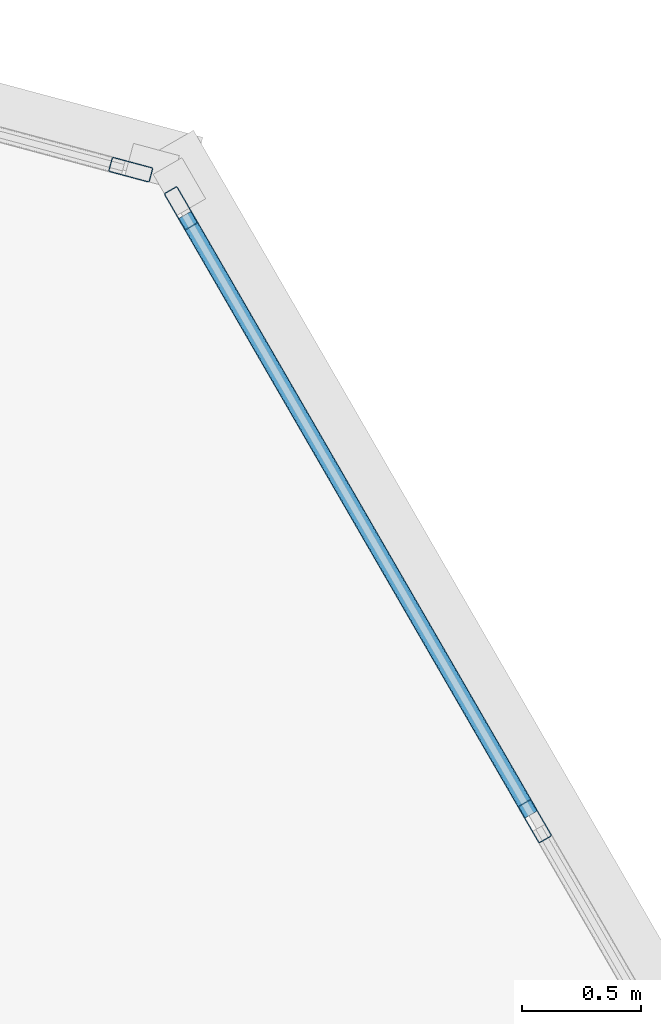
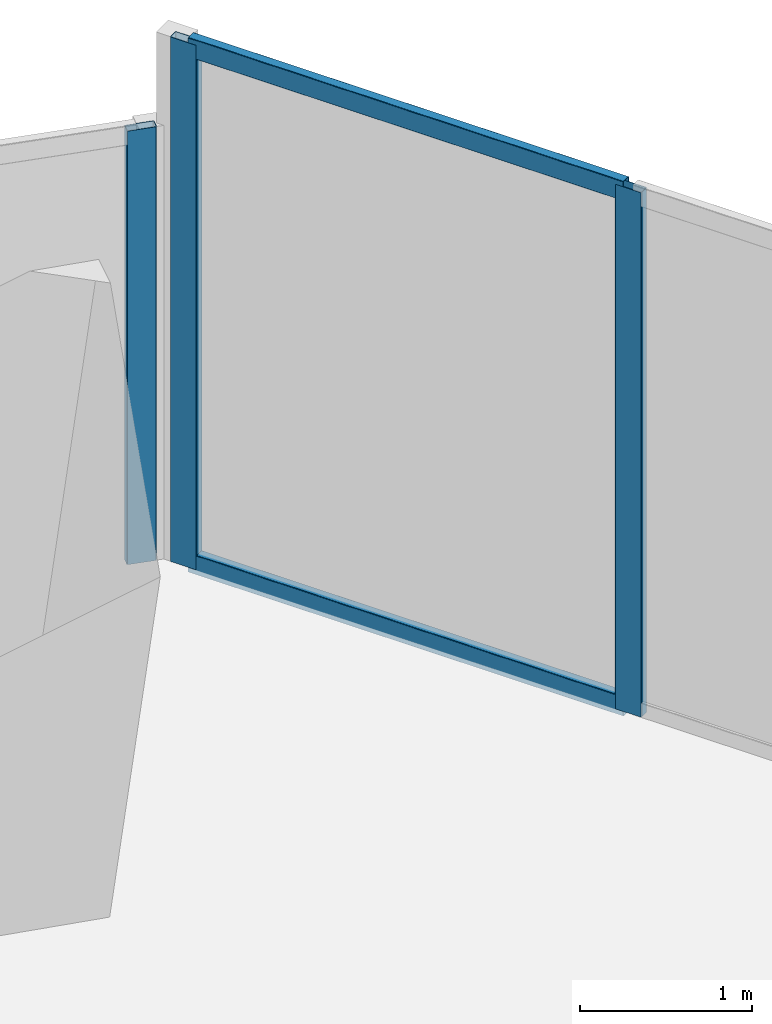
# One storey, part 13 of 27: 5 members, 2 elements without a shape of their own.
"""IFC4 building model written with IfcOpenShell, lengths in metres."""

from ifc_helpers import new_model, si_unit, direction, frame, origin, origin_2d, place, context, subcontext, project, spatial, hollow_rectangle, extrude, source, transform, mapped, material, material_profile, profile_set, type_object, element, aggregate, save


model = new_model("IFC4")

# Units and contexts
model_context = context("Model", 3, precision=1e-05, world=origin(), true_north=direction((0.0, 1.0)))
body_context = subcontext(model_context, "Body", "Model", "MODEL_VIEW")
ifc_project = project(units=[si_unit("LENGTHUNIT", "METRE"), si_unit("AREAUNIT", "SQUARE_METRE"), si_unit("VOLUMEUNIT", "CUBIC_METRE"), si_unit("PLANEANGLEUNIT", "RADIAN"), si_unit("MASSUNIT", "GRAM", prefix="KILO")], contexts=[model_context])

# Site, building, storey
site_placement = place(None, origin())
site = spatial("IfcSite", under=ifc_project, at=site_placement, CompositionType="ELEMENT")
building_placement = place(site_placement, origin())
building = spatial("IfcBuilding", under=site, at=building_placement, Name="Torre Montelarca", CompositionType="ELEMENT")
storey_placement = place(building_placement, frame((0.0, 0.0, 108.39990234375)))
storey = spatial("IfcBuildingStorey", under=building, at=storey_placement, Name="L24", CompositionType="ELEMENT", Elevation=108.39990234375)

# Curtain wall, members
ifc_material_1 = material(Name="Insulated low-E laminated glass", Category="glass")
curtain_wall_type = type_object("IfcCurtainWallType", Name="CW-SYS-Z1", PredefinedType="USERDEFINED", material=ifc_material_1)
curtain_wall_1_placement = place(storey_placement, origin())
curtain_wall_1 = element("IfcCurtainWall", 1, at=curtain_wall_1_placement, inside=storey, type_object=curtain_wall_type, Name="L24 Curtain Wall Run CW-T3-L24-E07-B1", ObjectType="UNITISED GLAZING", PredefinedType="USERDEFINED")
ifc_material_2 = material(Name="Anodised aluminium AA 6063-T6", Category="aluminium")
ifc_material_profile_1 = material_profile(ifc_material_2, hollow_rectangle(XDim=0.06494140625, YDim=0.139892578125, WallThickness=0.00390625, InnerFilletRadius=0.00390625, OuterFilletRadius=0.008056640625, at=origin_2d()), Name="ALU65X140X4", Category="aluminium")
ifc_profile_set_1 = profile_set([ifc_material_profile_1], Name="Anodised aluminium AA 6063-T6")
member_type_1 = type_object("IfcMemberType", Name="CWT-ALU140", PredefinedType="USERDEFINED", material=ifc_profile_set_1)
shared_shape_1 = source(origin(), body_context, "Body", "SweptSolid", [
    extrude(hollow_rectangle(XDim=0.06494140625, YDim=0.139892578125, WallThickness=0.00390625, InnerFilletRadius=0.00390625, OuterFilletRadius=0.008056640625, at=origin_2d()), origin(), (0.0, 0.0, 1.0), 2.918701171875),
])
member_1_placement = place(storey_placement, frame((60.865966796875, 35.82275390625, 0.03271484375), z_axis=(-0.500043453909, 0.866000314205, 0.0), x_axis=(-0.866000314205, -0.500043453909, 0.0)))
member_1 = element("IfcMember", 2, at=member_1_placement, type_object=member_type_1, Name="CW transom 2.1", ObjectType="TRANSOM", PredefinedType="USERDEFINED", context=body_context, shape_type="MappedRepresentation", body=[
    mapped(shared_shape_1, transform((0.0, 0.0, 0.0), scale=1.0)),
])
member_2_placement = place(storey_placement, frame((60.865966796875, 35.82275390625, 3.6875), z_axis=(-0.500043453909, 0.866000314205, 0.0), x_axis=(-0.866000314205, -0.500043453909, 0.0)))
member_2 = element("IfcMember", 3, at=member_2_placement, type_object=member_type_1, Name="CW transom 2.2", ObjectType="TRANSOM", PredefinedType="USERDEFINED", context=body_context, shape_type="MappedRepresentation", body=[
    mapped(shared_shape_1, transform((0.0, 0.0, 0.0), scale=1.0)),
])
ifc_material_profile_2 = material_profile(ifc_material_2, hollow_rectangle(XDim=0.06494140625, YDim=0.179931640625, WallThickness=0.00390625, InnerFilletRadius=0.00390625, OuterFilletRadius=0.008056640625, at=origin_2d()), Name="ALU65X180X4", Category="aluminium")
ifc_profile_set_2 = profile_set([ifc_material_profile_2], Name="Anodised aluminium AA 6063-T6")
member_type_2 = type_object("IfcMemberType", Name="CWM-ALU180", PredefinedType="MULLION", material=ifc_profile_set_2)
shared_shape_2 = source(origin(), body_context, "Body", "SweptSolid", [
    extrude(hollow_rectangle(XDim=0.06494140625, YDim=0.179931640625, WallThickness=0.00390625, InnerFilletRadius=0.00390625, OuterFilletRadius=0.008056640625, at=origin_2d()), origin(), (0.0, 0.0, 1.0), 3.72021484375),
])
member_3_placement = place(storey_placement, frame((60.882080078125, 35.79443359375, 0.0), z_axis=(0.0, 0.0, 1.0), x_axis=(-0.866020776749, -0.500008014176, 0.0)))
member_3 = element("IfcMember", 4, at=member_3_placement, type_object=member_type_2, Name="CW mullion 2", PredefinedType="MULLION", context=body_context, shape_type="MappedRepresentation", body=[
    mapped(shared_shape_2, transform((0.0, 0.0, 0.0), scale=1.0)),
])
member_4_placement = place(storey_placement, frame((59.39013671875, 38.37841796875, 0.0), z_axis=(0.0, 0.0, 1.0), x_axis=(-0.866020776749, -0.500008014176, 0.0)))
member_4 = element("IfcMember", 5, at=member_4_placement, type_object=member_type_2, Name="CW mullion 3", PredefinedType="MULLION", context=body_context, shape_type="MappedRepresentation", body=[
    mapped(shared_shape_2, transform((0.0, 0.0, 0.0), scale=1.0)),
])
aggregate(curtain_wall_1, [member_3, member_4, member_1, member_2])

# Curtain wall, member
curtain_wall_2_placement = place(storey_placement, origin())
curtain_wall_2 = element("IfcCurtainWall", 6, at=curtain_wall_2_placement, inside=storey, type_object=curtain_wall_type, Name="L24 Curtain Wall Run CW-T3-L24-E08-B1", ObjectType="UNITISED GLAZING", PredefinedType="USERDEFINED")
shared_shape_3 = source(origin(), body_context, "Body", "SweptSolid", [
    extrude(hollow_rectangle(XDim=0.06494140625, YDim=0.179931640625, WallThickness=0.00390625, InnerFilletRadius=0.00390625, OuterFilletRadius=0.008056640625, at=origin_2d()), origin(), (0.0, 0.0, 1.0), 3.0751953125),
])
member_5_placement = place(storey_placement, frame((59.178466796875, 38.541015625, 0.0), z_axis=(0.0, 0.0, 1.0), x_axis=(-0.258819887947, -0.965925600449, 0.0)))
member_5 = element("IfcMember", 7, at=member_5_placement, type_object=member_type_2, Name="CW mullion 1", PredefinedType="MULLION", context=body_context, shape_type="MappedRepresentation", body=[
    mapped(shared_shape_3, transform((0.0, 0.0, 0.0), scale=1.0)),
])
aggregate(curtain_wall_2, [member_5])

save(model, "model.ifc")
